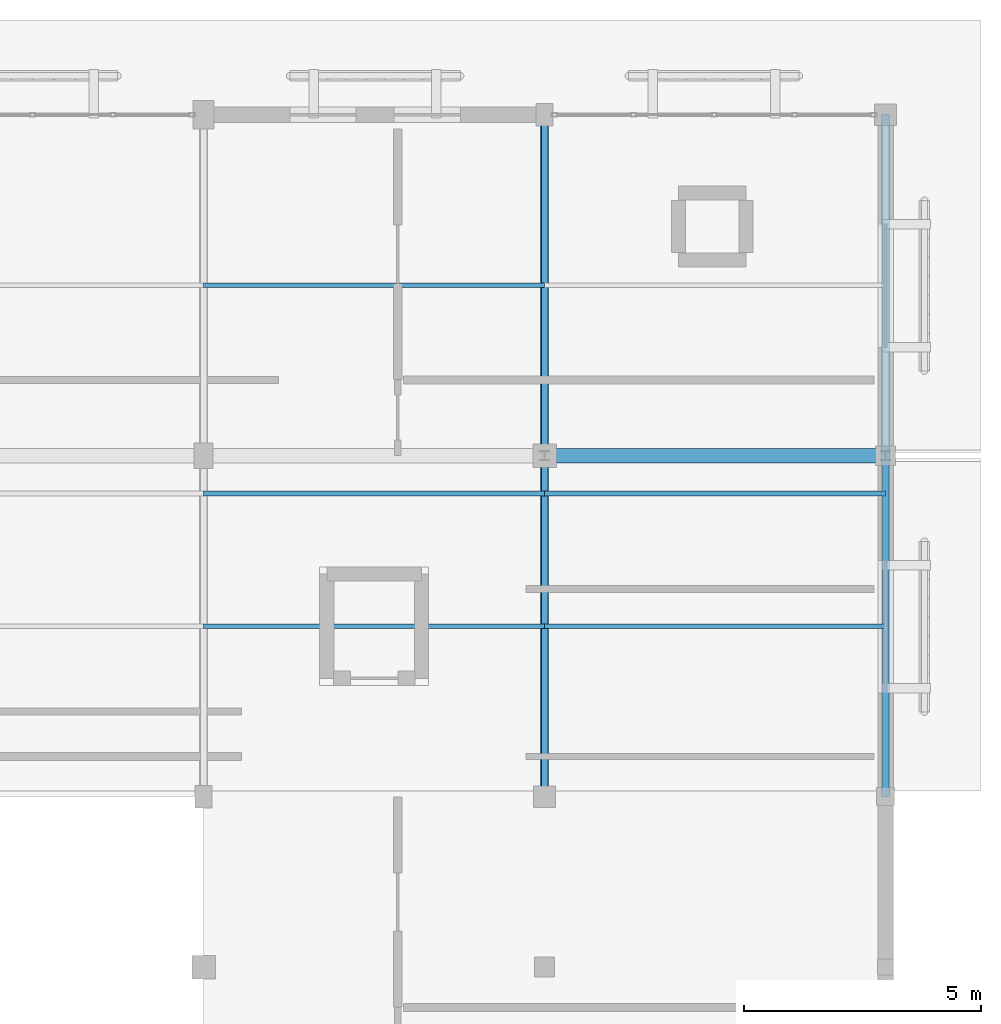
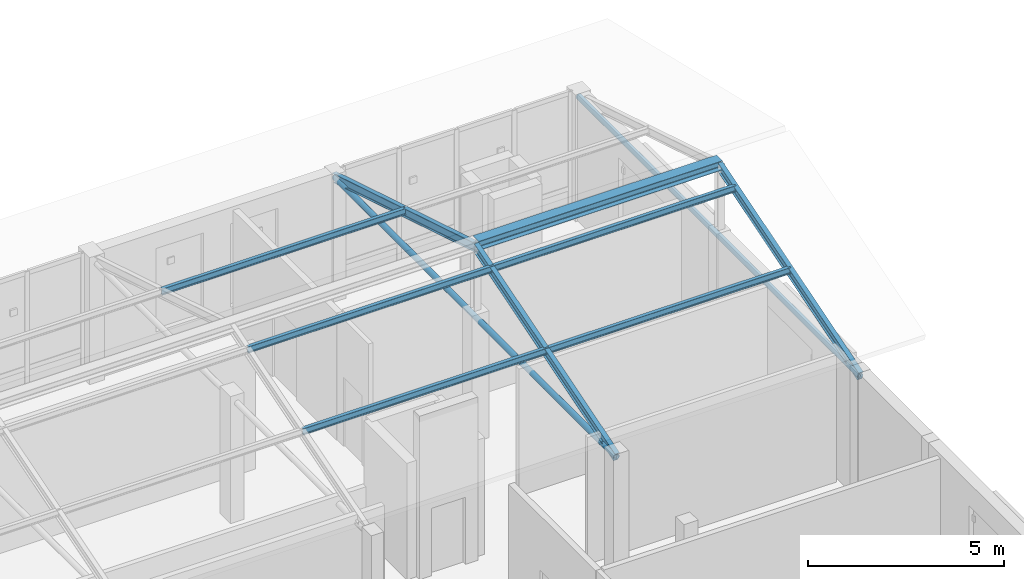
# One storey, part 38 of 61: 10 members, 1 beam.
"""IFC4 building model written with IfcOpenShell, lengths in metres."""

from ifc_helpers import new_model, si_unit, direction, frame, origin, origin_2d, place, context, subcontext, project, spatial, hollow_circle, i_section, extrude, material, material_profile, profile_set, type_object, element, save


model = new_model("IFC4")

# Units and contexts
model_context = context("Model", 3, precision=1e-05, world=origin(), true_north=direction((0.0, 1.0)))
body_context = subcontext(model_context, "Body", "Model", "MODEL_VIEW")
ifc_project = project(units=[si_unit("LENGTHUNIT", "METRE"), si_unit("AREAUNIT", "SQUARE_METRE"), si_unit("VOLUMEUNIT", "CUBIC_METRE"), si_unit("PLANEANGLEUNIT", "RADIAN"), si_unit("MASSUNIT", "GRAM", prefix="KILO")], contexts=[model_context])

# Site, building, storey
site_placement = place(None, origin())
site = spatial("IfcSite", under=ifc_project, at=site_placement, CompositionType="ELEMENT")
building_placement = place(site_placement, origin())
building = spatial("IfcBuilding", under=site, at=building_placement, Name="Mazaris Harbour Polytechnic", CompositionType="ELEMENT")
storey_placement = place(building_placement, frame((0.0, 0.0, 18.0)))
storey = spatial("IfcBuildingStorey", under=building, at=storey_placement, Name="L04", CompositionType="ELEMENT", Elevation=18.0)

# Beam
ifc_material_1 = material(Name="Steel S355", Category="steel")
ifc_material_profile_1 = material_profile(ifc_material_1, i_section(OverallWidth=0.300048828125, OverallDepth=0.2900390625, WebThickness=0.008544921875, FlangeThickness=0.013916015625, FilletRadius=0.027099609375, at=origin_2d()), Name="HEA 300")
ifc_profile_set_1 = profile_set([ifc_material_profile_1], Name="Steel S355")
beam_type = type_object("IfcBeamType", Name="Steel Beam HEA300", PredefinedType="SPANDREL", material=ifc_profile_set_1)
beam_placement = place(storey_placement, frame((165.60009765625, 93.60009765625, 6.0), z_axis=(1.0, 0.0, 0.0), x_axis=(0.0, 1.0, 0.0)))
element("IfcBeam", 1, at=beam_placement, inside=storey, type_object=beam_type, Name="V5 Studio Ridge Girder 165.6", PredefinedType="SPANDREL", context=body_context, shape_type="SweptSolid", body=[
    extrude(i_section(OverallWidth=0.300048828125, OverallDepth=0.2900390625, WebThickness=0.008544921875, FlangeThickness=0.013916015625, FilletRadius=0.027099609375, at=origin_2d()), origin(), (0.0, 0.0, 1.0), 7.199951171875),
])

# Members
ifc_material_2 = material(Name="Steel S355", Category="steel")
ifc_material_profile_2 = material_profile(ifc_material_2, i_section(OverallWidth=0.10009765625, OverallDepth=0.199951171875, WebThickness=0.005615234375, FlangeThickness=0.008544921875, FilletRadius=0.011962890625, at=origin_2d()), Name="IPE 200")
ifc_profile_set_2 = profile_set([ifc_material_profile_2], Name="Steel S355")
member_type_1 = type_object("IfcMemberType", Name="Steel Purlin IPE200", PredefinedType="PURLIN", material=ifc_profile_set_2)
for number, where, z_axis, x_axis, name in (
    (2, (158.39990234375, 90.0, 4.840087890625), (1.0, 0.0, 0.0), (0.0, 1.0, 0.0), "V5 Studio Roof Purlin 202"),
    (3, (158.39990234375, 92.800048828125, 5.699951171875), (1.0, 0.0, 0.0), (0.0, 1.0, 0.0), "V5 Studio Roof Purlin 203"),
    (4, (158.39990234375, 97.199951171875, 4.840087890625), (1.0, 0.0, 0.0), (0.0, 1.0, 0.0), "V5 Studio Roof Purlin 204"),
):
    element("IfcMember", number, at=place(storey_placement, frame(where, z_axis=z_axis, x_axis=x_axis)), inside=storey, type_object=member_type_1, Name=name, PredefinedType="PURLIN", context=body_context, shape_type="SweptSolid", body=[
        extrude(i_section(OverallWidth=0.10009765625, OverallDepth=0.199951171875, WebThickness=0.005615234375, FlangeThickness=0.008544921875, FilletRadius=0.011962890625, at=origin_2d()), origin(), (0.0, 0.0, 1.0), 7.2001953125),
    ])
for number, where, z_axis, x_axis, name in (
    (5, (165.60009765625, 90.0, 4.840087890625), (1.0, 0.0, 0.0), (0.0, 1.0, 0.0), "V5 Studio Roof Purlin 205"),
    (6, (165.60009765625, 92.800048828125, 5.699951171875), (1.0, 0.0, 0.0), (0.0, 1.0, 0.0), "V5 Studio Roof Purlin 206"),
):
    element("IfcMember", number, at=place(storey_placement, frame(where, z_axis=z_axis, x_axis=x_axis)), inside=storey, type_object=member_type_1, Name=name, PredefinedType="PURLIN", context=body_context, shape_type="SweptSolid", body=[
        extrude(i_section(OverallWidth=0.10009765625, OverallDepth=0.199951171875, WebThickness=0.005615234375, FlangeThickness=0.008544921875, FilletRadius=0.011962890625, at=origin_2d()), origin(), (0.0, 0.0, 1.0), 7.199951171875),
    ])
ifc_material_3 = material(Name="Steel S355", Category="steel")
ifc_material_profile_3 = material_profile(ifc_material_3, i_section(OverallWidth=0.135009765625, OverallDepth=0.27001953125, WebThickness=0.006591796875, FlangeThickness=0.01025390625, FilletRadius=0.014892578125, at=origin_2d()), Name="IPE 270")
ifc_profile_set_3 = profile_set([ifc_material_profile_3], Name="Steel S355")
member_type_2 = type_object("IfcMemberType", Name="Steel Rafter IPE270", PredefinedType="RAFTER", material=ifc_profile_set_3)
member_1_placement = place(storey_placement, frame((165.60009765625, 86.39990234375, 3.699951171875), z_axis=(0.0, 0.956355598669, 0.292205353981), x_axis=(-1.0, 0.0, 0.0)))
element("IfcMember", 7, at=member_1_placement, inside=storey, type_object=member_type_2, Name="V5 Studio South Rafter 18", PredefinedType="RAFTER", context=body_context, shape_type="SweptSolid", body=[
    extrude(i_section(OverallWidth=0.135009765625, OverallDepth=0.27001953125, WebThickness=0.006591796875, FlangeThickness=0.01025390625, FilletRadius=0.014892578125, at=origin_2d()), origin(), (0.0, 0.0, 1.0), 7.52880859375),
])
member_2_placement = place(storey_placement, frame((165.60009765625, 93.60009765625, 5.89990234375), z_axis=(0.0, 0.95635282974, -0.292214416222), x_axis=(-1.0, 0.0, 0.0)))
element("IfcMember", 8, at=member_2_placement, inside=storey, type_object=member_type_2, Name="V5 Studio North Rafter 18", PredefinedType="RAFTER", context=body_context, shape_type="SweptSolid", body=[
    extrude(i_section(OverallWidth=0.135009765625, OverallDepth=0.27001953125, WebThickness=0.006591796875, FlangeThickness=0.01025390625, FilletRadius=0.014892578125, at=origin_2d()), origin(), (0.0, 0.0, 1.0), 7.528564453125),
])
member_3_placement = place(storey_placement, frame((172.800048828125, 86.39990234375, 3.699951171875), z_axis=(0.0, 0.956355598669, 0.292205353981), x_axis=(-1.0, 0.0, 0.0)))
element("IfcMember", 9, at=member_3_placement, inside=storey, type_object=member_type_2, Name="V5 Studio South Rafter 19", PredefinedType="RAFTER", context=body_context, shape_type="SweptSolid", body=[
    extrude(i_section(OverallWidth=0.135009765625, OverallDepth=0.27001953125, WebThickness=0.006591796875, FlangeThickness=0.01025390625, FilletRadius=0.014892578125, at=origin_2d()), origin(), (0.0, 0.0, 1.0), 7.52880859375),
])
ifc_material_4 = material(Name="Steel S355", Category="steel")
ifc_material_profile_4 = material_profile(ifc_material_4, hollow_circle(Radius=0.084228515625, WallThickness=0.008056640625, at=origin_2d()), Name="CHS 168.3x8.0")
ifc_profile_set_4 = profile_set([ifc_material_profile_4], Name="Steel S355")
member_type_3 = type_object("IfcMemberType", Name="Steel Truss Strut CHS168", PredefinedType="STRUT", material=ifc_profile_set_4)
for number, where, z_axis, x_axis, name in (
    (10, (165.60009765625, 86.39990234375, 3.699951171875), (0.0, 1.0, 0.0), (-1.0, 0.0, 0.0), "V5 Studio Tie 18"),
    (11, (172.800048828125, 86.39990234375, 3.699951171875), (0.0, 1.0, 0.0), (-1.0, 0.0, 0.0), "V5 Studio Tie 19"),
):
    element("IfcMember", number, at=place(storey_placement, frame(where, z_axis=z_axis, x_axis=x_axis)), inside=storey, type_object=member_type_3, Name=name, PredefinedType="STRUT", context=body_context, shape_type="SweptSolid", body=[
        extrude(hollow_circle(Radius=0.084228515625, WallThickness=0.008056640625, at=origin_2d()), origin(), (0.0, 0.0, 1.0), 14.400146484375),
    ])

save(model, "model.ifc")
